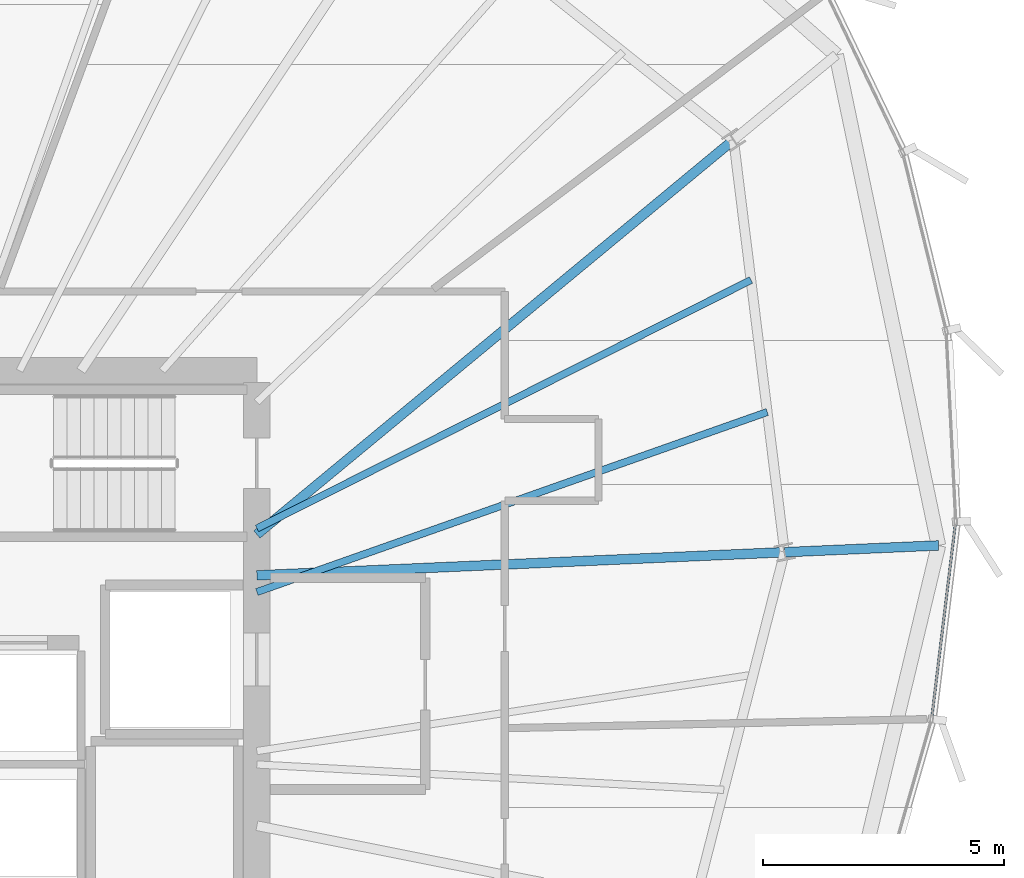
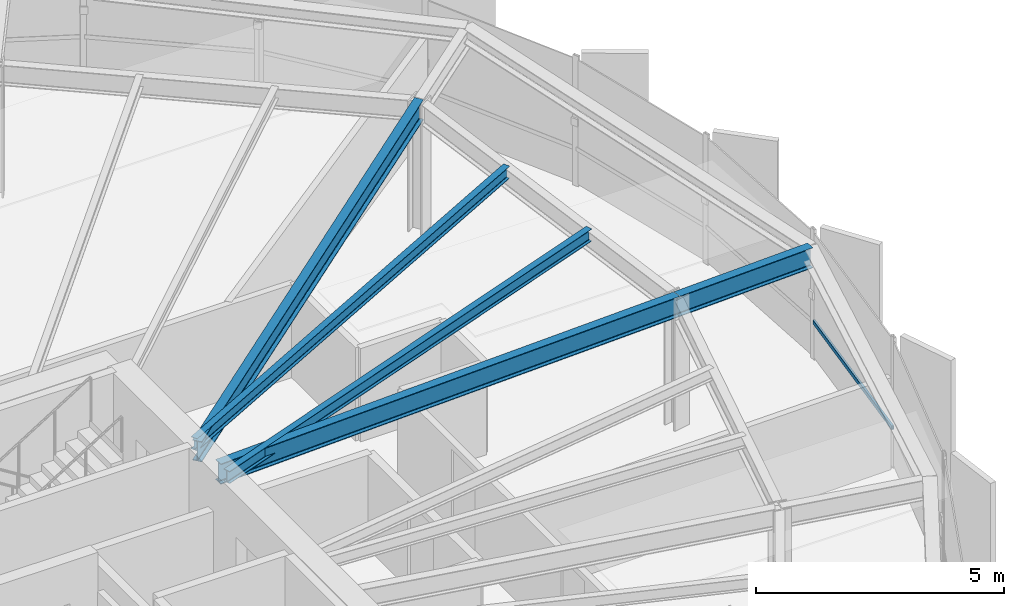
# One storey, part 16 of 34: 5 beams, 1 member, 1 element without a shape of its own.
"""IFC4 building model written with IfcOpenShell, lengths in metres."""

from ifc_helpers import new_model, si_unit, direction, frame, origin, origin_2d, place, context, subcontext, project, spatial, hollow_rectangle, i_section, extrude, source, transform, mapped, material, layer, layer_set, material_profile, profile_set, type_object, element, aggregate, save


model = new_model("IFC4")

# Units and contexts
model_context = context("Model", 3, precision=1e-05, world=origin(), true_north=direction((0.0, 1.0)))
body_context = subcontext(model_context, "Body", "Model", "MODEL_VIEW")
ifc_project = project(units=[si_unit("LENGTHUNIT", "METRE"), si_unit("AREAUNIT", "SQUARE_METRE"), si_unit("VOLUMEUNIT", "CUBIC_METRE"), si_unit("PLANEANGLEUNIT", "RADIAN"), si_unit("MASSUNIT", "GRAM", prefix="KILO"), si_unit("THERMODYNAMICTEMPERATUREUNIT", "KELVIN")], contexts=[model_context])

# Site, building, storey
site_placement = place(None, origin())
site = spatial("IfcSite", under=ifc_project, at=site_placement, CompositionType="ELEMENT")
building_placement = place(site_placement, origin())
building = spatial("IfcBuilding", under=site, at=building_placement, Name="Kethvar Cultural Tower", CompositionType="ELEMENT")
storey_placement = place(building_placement, frame((0.0, 0.0, 214.89990234375)))
storey = spatial("IfcBuildingStorey", under=building, at=storey_placement, Name="L56", CompositionType="ELEMENT", Elevation=214.89990234375)

# Beams
ifc_material_1 = material(Name="Steel S355J2", Category="steel")
ifc_material_profile_1 = material_profile(ifc_material_1, i_section(OverallWidth=0.199951171875, OverallDepth=0.5, WebThickness=0.01025390625, FlangeThickness=0.01611328125, FilletRadius=0.02099609375, at=origin_2d()), Name="Steel S355J2 — IPE500")
ifc_profile_set_1 = profile_set([ifc_material_profile_1], Name="Steel S355J2 — IPE500")
beam_type_1 = type_object("IfcBeamType", Name="BM-IPE500", PredefinedType="BEAM", material=ifc_profile_set_1)
shared_shape_1 = source(origin(), body_context, "Body", "SweptSolid", [
    extrude(i_section(OverallWidth=0.199951171875, OverallDepth=0.5, WebThickness=0.01025390625, FlangeThickness=0.01611328125, FilletRadius=0.02099609375, at=origin_2d()), origin(), (0.0, 0.0, 1.0), 10.974365234375),
])
beam_1_placement = place(storey_placement, frame((55.60009765625, 31.25, 2.988037109375), z_axis=(0.999038235064, 0.043847518511, 0.0), x_axis=(-0.043847518511, 0.999038235064, 0.0)))
element("IfcBeam", 1, at=beam_1_placement, inside=storey, type_object=beam_type_1, Name="L56 Primary Radial Beam RB-01", PredefinedType="BEAM", context=body_context, shape_type="MappedRepresentation", body=[
    mapped(shared_shape_1, transform((0.0, 0.0, 0.0), scale=1.0)),
])
shared_shape_2 = source(origin(), body_context, "Body", "SweptSolid", [
    extrude(i_section(OverallWidth=0.199951171875, OverallDepth=0.5, WebThickness=0.01025390625, FlangeThickness=0.01611328125, FilletRadius=0.02099609375, at=origin_2d()), origin(), (0.0, 0.0, 1.0), 3.2001953125),
])
beam_2_placement = place(storey_placement, frame((66.56396484375, 31.731201171875, 2.988037109375), z_axis=(0.999037352633, 0.043867619531, 0.0), x_axis=(-0.043867619531, 0.999037352633, 0.0)))
element("IfcBeam", 2, at=beam_2_placement, inside=storey, type_object=beam_type_1, Name="L56 Perimeter Cantilever Beam RC-01", PredefinedType="BEAM", context=body_context, shape_type="MappedRepresentation", body=[
    mapped(shared_shape_2, transform((0.0, 0.0, 0.0), scale=1.0)),
])
shared_shape_3 = source(origin(), body_context, "Body", "SweptSolid", [
    extrude(i_section(OverallWidth=0.199951171875, OverallDepth=0.5, WebThickness=0.01025390625, FlangeThickness=0.01611328125, FilletRadius=0.02099609375, at=origin_2d()), origin(), (0.0, 0.0, 1.0), 12.8564453125),
])
beam_3_placement = place(storey_placement, frame((55.60009765625, 32.10009765625, 2.988037109375), z_axis=(0.770354115625, 0.637616292561, 0.0), x_axis=(-0.637616292561, 0.770354115625, 0.0)))
element("IfcBeam", 3, at=beam_3_placement, inside=storey, type_object=beam_type_1, Name="L56 Primary Radial Beam RB-02", PredefinedType="BEAM", context=body_context, shape_type="MappedRepresentation", body=[
    mapped(shared_shape_3, transform((0.0, 0.0, 0.0), scale=1.0)),
])
ifc_material_profile_2 = material_profile(ifc_material_1, i_section(OverallWidth=0.14990234375, OverallDepth=0.300048828125, WebThickness=0.007080078125, FlangeThickness=0.0107421875, FilletRadius=0.014892578125, at=origin_2d()), Name="Steel S355J2 — IPE300")
ifc_profile_set_2 = profile_set([ifc_material_profile_2], Name="Steel S355J2 — IPE300")
beam_type_2 = type_object("IfcBeamType", Name="BM-J300", PredefinedType="JOIST", material=ifc_profile_set_2)
shared_shape_4 = source(origin(), body_context, "Body", "SweptSolid", [
    extrude(i_section(OverallWidth=0.14990234375, OverallDepth=0.300048828125, WebThickness=0.007080078125, FlangeThickness=0.0107421875, FilletRadius=0.014892578125, at=origin_2d()), origin(), (0.0, 0.0, 1.0), 11.24365234375),
])
beam_4_placement = place(storey_placement, frame((55.60009765625, 30.90380859375, 3.088134765625), z_axis=(0.943058059975, 0.332628164044, 0.0), x_axis=(-0.332628164044, 0.943058059975, 0.0)))
element("IfcBeam", 4, at=beam_4_placement, inside=storey, type_object=beam_type_2, Name="L56 Composite Floor Joist J-01A", PredefinedType="JOIST", context=body_context, shape_type="MappedRepresentation", body=[
    mapped(shared_shape_4, transform((0.0, 0.0, 0.0), scale=1.0)),
])
shared_shape_5 = source(origin(), body_context, "Body", "SweptSolid", [
    extrude(i_section(OverallWidth=0.14990234375, OverallDepth=0.300048828125, WebThickness=0.007080078125, FlangeThickness=0.0107421875, FilletRadius=0.014892578125, at=origin_2d()), origin(), (0.0, 0.0, 1.0), 11.48876953125),
])
beam_5_placement = place(storey_placement, frame((55.60009765625, 32.224365234375, 3.088134765625), z_axis=(0.893434724969, 0.449193045605, 0.0), x_axis=(-0.449193045605, 0.893434724969, 0.0)))
element("IfcBeam", 5, at=beam_5_placement, inside=storey, type_object=beam_type_2, Name="L56 Composite Floor Joist J-01B", PredefinedType="JOIST", context=body_context, shape_type="MappedRepresentation", body=[
    mapped(shared_shape_5, transform((0.0, 0.0, 0.0), scale=1.0)),
])

# Curtain wall, member
ifc_material_2 = material(Name="Aluminium 6063-T6", Category="aluminium")
ifc_layer = layer(ifc_material_2, 0.179931640625, Name="Aluminium 6063-T6", Category="aluminium")
ifc_layer_set = layer_set([ifc_layer], Name="Aluminium 6063-T6 (180 mm)")
curtain_wall_type = type_object("IfcCurtainWallType", Name="CW-SYS-04-Z34", PredefinedType="NOTDEFINED", material=ifc_layer_set)
curtain_wall_placement = place(storey_placement, origin())
curtain_wall = element("IfcCurtainWall", 6, at=curtain_wall_placement, inside=storey, type_object=curtain_wall_type, Name="L56 Curtain Wall Run 06", PredefinedType="NOTDEFINED")
ifc_material_profile_3 = material_profile(ifc_material_2, hollow_rectangle(XDim=0.050048828125, YDim=0.10009765625, WallThickness=0.00390625, at=origin_2d()), Name="Aluminium 6063-T6 — RHS100x50x4")
ifc_profile_set_3 = profile_set([ifc_material_profile_3], Name="Aluminium 6063-T6 — RHS100x50x4")
member_type = type_object("IfcMemberType", Name="CW-SYS-04-Z34-TRN", PredefinedType="USERDEFINED", material=ifc_profile_set_3)
shared_shape_6 = source(origin(), body_context, "Body", "SweptSolid", [
    extrude(hollow_rectangle(XDim=0.050048828125, YDim=0.10009765625, WallThickness=0.00390625, at=origin_2d()), origin(), (0.0, 0.0, 1.0), 4.060791015625),
])
member_placement = place(storey_placement, frame((69.623779296875, 28.30859375, 0.9501953125), z_axis=(0.120726372263, 0.992685822927, 0.0), x_axis=(-0.992685822927, 0.120726372263, 0.0)))
member = element("IfcMember", 7, at=member_placement, type_object=member_type, Name="CW-L56-R06 Transom 2", ObjectType="TRANSOM", PredefinedType="USERDEFINED", context=body_context, shape_type="MappedRepresentation", body=[
    mapped(shared_shape_6, transform((0.0, 0.0, 0.0), scale=1.0)),
])
aggregate(curtain_wall, [member])

save(model, "model.ifc")
